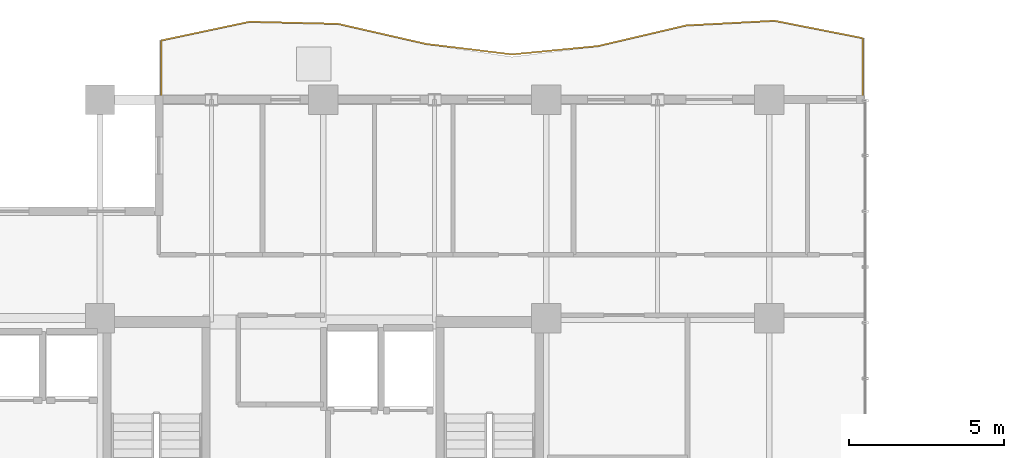
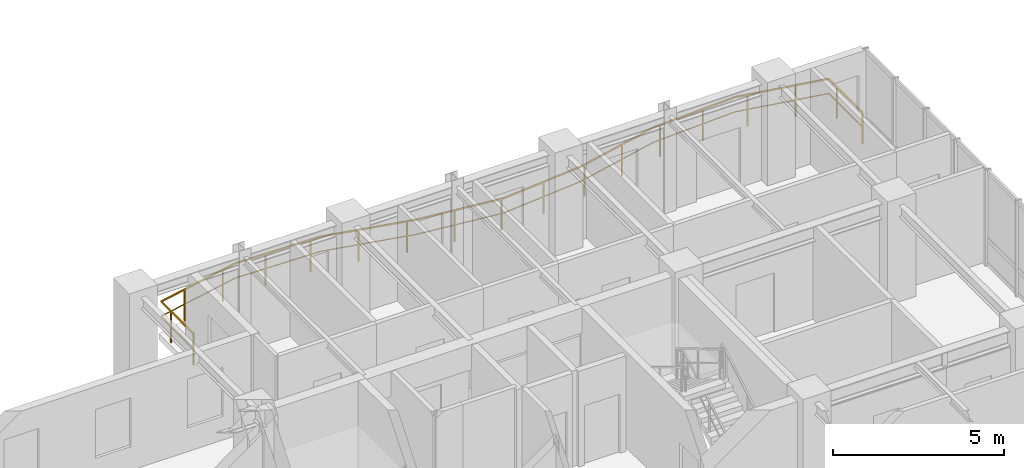
# One storey, part 24 of 24: 1 railing.
"""IFC4 building model written with IfcOpenShell, lengths in metres."""

from ifc_helpers import new_model, si_unit, direction, frame, origin, origin_2d, place, context, subcontext, project, spatial, rectangle, extrude, material, type_object, element, save


model = new_model("IFC4")

# Units and contexts
model_context = context("Model", 3, precision=1e-05, world=origin(), true_north=direction((0.0, 1.0)))
body_context = subcontext(model_context, "Body", "Model", "MODEL_VIEW")
ifc_project = project(units=[si_unit("LENGTHUNIT", "METRE"), si_unit("AREAUNIT", "SQUARE_METRE"), si_unit("VOLUMEUNIT", "CUBIC_METRE"), si_unit("PLANEANGLEUNIT", "RADIAN"), si_unit("MASSUNIT", "GRAM", prefix="KILO")], contexts=[model_context])

# Site, building, storey
site_placement = place(None, origin())
site = spatial("IfcSite", under=ifc_project, at=site_placement, CompositionType="ELEMENT")
building_placement = place(site_placement, origin())
building = spatial("IfcBuilding", under=site, at=building_placement, Name="Kaliganga Portal Commons", CompositionType="ELEMENT")
storey_placement = place(building_placement, frame((0.0, 0.0, 242.5)))
storey = spatial("IfcBuildingStorey", under=building, at=storey_placement, Name="L62", CompositionType="ELEMENT", Elevation=242.5)

# Railing
ifc_material = material(Name="Laminated Safety Glass and Stainless Steel 316", Category="steel")
railing_type = type_object("IfcRailingType", Name="RLG-BAL-1150", PredefinedType="BALUSTRADE", material=ifc_material)
railing_placement = place(storey_placement, frame((39.02099609375, 43.2119140625, 0.0)))
element("IfcRailing", 1, at=railing_placement, inside=storey, type_object=railing_type, Name="Balcony Guardrail L62 balc_north", PredefinedType="BALUSTRADE", context=body_context, shape_type="SweptSolid", body=[
    extrude(rectangle(XDim=0.048095703125, YDim=0.048095703125, at=origin_2d()), frame((0.0, 0.0, 1.1259765625), z_axis=(-0.000493949063, 0.999999878007, 0.0), x_axis=(-0.999999878007, -0.000493949063, 0.0)), (0.0, 0.0, 1.0), 1.97705078125),
    extrude(rectangle(XDim=0.028076171875, YDim=0.028076171875, at=origin_2d()), frame((0.0, 0.0, 0.597900390625), z_axis=(-0.000493949063, 0.999999878007, 0.0), x_axis=(-0.999999878007, -0.000493949063, 0.0)), (0.0, 0.0, 1.0), 1.97705078125),
    extrude(rectangle(XDim=0.048095703125, YDim=0.048095703125, at=origin_2d()), frame((-0.0009765625, 1.97705078125, 1.1259765625), z_axis=(-0.981212461594, 0.192930311802, 0.0), x_axis=(-0.192930311802, -0.981212461594, 0.0)), (0.0, 0.0, 1.0), 2.904052734375),
    extrude(rectangle(XDim=0.028076171875, YDim=0.028076171875, at=origin_2d()), frame((-0.0009765625, 1.97705078125, 0.597900390625), z_axis=(-0.981212461594, 0.192930311802, 0.0), x_axis=(-0.192930311802, -0.981212461594, 0.0)), (0.0, 0.0, 1.0), 2.904052734375),
    extrude(rectangle(XDim=0.048095703125, YDim=0.048095703125, at=origin_2d()), frame((-2.8505859375, 2.537353515625, 1.1259765625), z_axis=(-0.998596955064, -0.052953954869, 0.0), x_axis=(0.052953954869, -0.998596955064, 0.0)), (0.0, 0.0, 1.0), 2.853759765625),
    extrude(rectangle(XDim=0.028076171875, YDim=0.028076171875, at=origin_2d()), frame((-2.8505859375, 2.537353515625, 0.597900390625), z_axis=(-0.998596955064, -0.052953954869, 0.0), x_axis=(0.052953954869, -0.998596955064, 0.0)), (0.0, 0.0, 1.0), 2.853759765625),
    extrude(rectangle(XDim=0.048095703125, YDim=0.048095703125, at=origin_2d()), frame((-5.700439453125, 2.38623046875, 1.1259765625), z_axis=(-0.973682273044, -0.227909699574, 0.0), x_axis=(0.227909699574, -0.973682273044, 0.0)), (0.0, 0.0, 1.0), 2.927734375),
    extrude(rectangle(XDim=0.028076171875, YDim=0.028076171875, at=origin_2d()), frame((-5.700439453125, 2.38623046875, 0.597900390625), z_axis=(-0.973682273044, -0.227909699574, 0.0), x_axis=(0.227909699574, -0.973682273044, 0.0)), (0.0, 0.0, 1.0), 2.927734375),
    extrude(rectangle(XDim=0.048095703125, YDim=0.048095703125, at=origin_2d()), frame((-8.551025390625, 1.718994140625, 1.1259765625), z_axis=(-0.995358420766, -0.096237280767, 0.0), x_axis=(0.096237280767, -0.995358420766, 0.0)), (0.0, 0.0, 1.0), 2.782958984375),
    extrude(rectangle(XDim=0.028076171875, YDim=0.028076171875, at=origin_2d()), frame((-8.551025390625, 1.718994140625, 0.597900390625), z_axis=(-0.995358420766, -0.096237280767, 0.0), x_axis=(0.096237280767, -0.995358420766, 0.0)), (0.0, 0.0, 1.0), 2.782958984375),
    extrude(rectangle(XDim=0.048095703125, YDim=0.048095703125, at=origin_2d()), frame((-11.321044921875, 1.451171875, 1.1259765625), z_axis=(-0.992684291103, 0.120738967189, 0.0), x_axis=(-0.120738967189, -0.992684291103, 0.0)), (0.0, 0.0, 1.0), 2.79052734375),
    extrude(rectangle(XDim=0.028076171875, YDim=0.028076171875, at=origin_2d()), frame((-11.321044921875, 1.451171875, 0.597900390625), z_axis=(-0.992684291103, 0.120738967189, 0.0), x_axis=(-0.120738967189, -0.992684291103, 0.0)), (0.0, 0.0, 1.0), 2.79052734375),
    extrude(rectangle(XDim=0.048095703125, YDim=0.048095703125, at=origin_2d()), frame((-14.091064453125, 1.7880859375, 1.1259765625), z_axis=(-0.974999794973, 0.222205760057, 0.0), x_axis=(-0.222205760057, -0.974999794973, 0.0)), (0.0, 0.0, 1.0), 2.923583984375),
    extrude(rectangle(XDim=0.028076171875, YDim=0.028076171875, at=origin_2d()), frame((-14.091064453125, 1.7880859375, 0.597900390625), z_axis=(-0.974999794973, 0.222205760057, 0.0), x_axis=(-0.222205760057, -0.974999794973, 0.0)), (0.0, 0.0, 1.0), 2.923583984375),
    extrude(rectangle(XDim=0.048095703125, YDim=0.048095703125, at=origin_2d()), frame((-16.941650390625, 2.437744140625, 1.1259765625), z_axis=(-0.999720590512, 0.023637700932, 0.0), x_axis=(-0.023637700932, -0.999720590512, 0.0)), (0.0, 0.0, 1.0), 2.8505859375),
    extrude(rectangle(XDim=0.028076171875, YDim=0.028076171875, at=origin_2d()), frame((-16.941650390625, 2.437744140625, 0.597900390625), z_axis=(-0.999720590512, 0.023637700932, 0.0), x_axis=(-0.023637700932, -0.999720590512, 0.0)), (0.0, 0.0, 1.0), 2.8505859375),
    extrude(rectangle(XDim=0.048095703125, YDim=0.048095703125, at=origin_2d()), frame((-19.79150390625, 2.505126953125, 1.1259765625), z_axis=(-0.978283075582, -0.207273307566, 0.0), x_axis=(0.207273307566, -0.978283075582, 0.0)), (0.0, 0.0, 1.0), 2.912841796875),
    extrude(rectangle(XDim=0.028076171875, YDim=0.028076171875, at=origin_2d()), frame((-19.79150390625, 2.505126953125, 0.597900390625), z_axis=(-0.978283075582, -0.207273307566, 0.0), x_axis=(0.207273307566, -0.978283075582, 0.0)), (0.0, 0.0, 1.0), 2.912841796875),
    extrude(rectangle(XDim=0.048095703125, YDim=0.048095703125, at=origin_2d()), frame((-22.64111328125, 1.9013671875, 1.1259765625), z_axis=(-0.000385207984, -0.999999925807, 0.0), x_axis=(0.999999925807, -0.000385207984, 0.0)), (0.0, 0.0, 1.0), 1.9013671875),
    extrude(rectangle(XDim=0.028076171875, YDim=0.028076171875, at=origin_2d()), frame((-22.64111328125, 1.9013671875, 0.597900390625), z_axis=(-0.000385207984, -0.999999925807, 0.0), x_axis=(0.999999925807, -0.000385207984, 0.0)), (0.0, 0.0, 1.0), 1.9013671875),
    extrude(rectangle(XDim=0.0419921875, YDim=0.0419921875, at=origin_2d()), origin(), (0.0, 0.0, 1.0), 1.101806640625),
    extrude(rectangle(XDim=0.0419921875, YDim=0.0419921875, at=origin_2d()), frame((-0.000732421875, 1.5, 0.0)), (0.0, 0.0, 1.0), 1.101806640625),
    extrude(rectangle(XDim=0.0419921875, YDim=0.0419921875, at=origin_2d()), frame((-1.004638671875, 2.17431640625, 0.0)), (0.0, 0.0, 1.0), 1.101806640625),
    extrude(rectangle(XDim=0.0419921875, YDim=0.0419921875, at=origin_2d()), frame((-2.4765625, 2.4638671875, 0.0)), (0.0, 0.0, 1.0), 1.101806640625),
    extrude(rectangle(XDim=0.0419921875, YDim=0.0419921875, at=origin_2d()), frame((-3.9677734375, 2.47802734375, 0.0)), (0.0, 0.0, 1.0), 1.101806640625),
    extrude(rectangle(XDim=0.0419921875, YDim=0.0419921875, at=origin_2d()), frame((-5.465576171875, 2.398681640625, 0.0)), (0.0, 0.0, 1.0), 1.101806640625),
    extrude(rectangle(XDim=0.0419921875, YDim=0.0419921875, at=origin_2d()), frame((-6.93212890625, 2.097900390625, 0.0)), (0.0, 0.0, 1.0), 1.101806640625),
    extrude(rectangle(XDim=0.0419921875, YDim=0.0419921875, at=origin_2d()), frame((-8.392578125, 1.756103515625, 0.0)), (0.0, 0.0, 1.0), 1.101806640625),
    extrude(rectangle(XDim=0.0419921875, YDim=0.0419921875, at=origin_2d()), frame((-9.882080078125, 1.59033203125, 0.0)), (0.0, 0.0, 1.0), 1.101806640625),
    extrude(rectangle(XDim=0.0419921875, YDim=0.0419921875, at=origin_2d()), frame((-11.375, 1.457763671875, 0.0)), (0.0, 0.0, 1.0), 1.101806640625),
    extrude(rectangle(XDim=0.0419921875, YDim=0.0419921875, at=origin_2d()), frame((-12.864013671875, 1.638916015625, 0.0)), (0.0, 0.0, 1.0), 1.101806640625),
    extrude(rectangle(XDim=0.0419921875, YDim=0.0419921875, at=origin_2d()), frame((-14.348388671875, 1.8466796875, 0.0)), (0.0, 0.0, 1.0), 1.101806640625),
    extrude(rectangle(XDim=0.0419921875, YDim=0.0419921875, at=origin_2d()), frame((-15.810791015625, 2.179931640625, 0.0)), (0.0, 0.0, 1.0), 1.101806640625),
    extrude(rectangle(XDim=0.0419921875, YDim=0.0419921875, at=origin_2d()), frame((-17.28173828125, 2.44580078125, 0.0)), (0.0, 0.0, 1.0), 1.101806640625),
    extrude(rectangle(XDim=0.0419921875, YDim=0.0419921875, at=origin_2d()), frame((-18.781494140625, 2.481201171875, 0.0)), (0.0, 0.0, 1.0), 1.101806640625),
    extrude(rectangle(XDim=0.0419921875, YDim=0.0419921875, at=origin_2d()), frame((-20.2705078125, 2.403564453125, 0.0)), (0.0, 0.0, 1.0), 1.101806640625),
    extrude(rectangle(XDim=0.0419921875, YDim=0.0419921875, at=origin_2d()), frame((-21.73779296875, 2.0927734375, 0.0)), (0.0, 0.0, 1.0), 1.101806640625),
    extrude(rectangle(XDim=0.0419921875, YDim=0.0419921875, at=origin_2d()), frame((-22.641357421875, 1.32470703125, 0.0)), (0.0, 0.0, 1.0), 1.101806640625),
    extrude(rectangle(XDim=0.0419921875, YDim=0.0419921875, at=origin_2d()), frame((-22.641845703125, 0.0, 0.0)), (0.0, 0.0, 1.0), 1.101806640625),
])

save(model, "model.ifc")
